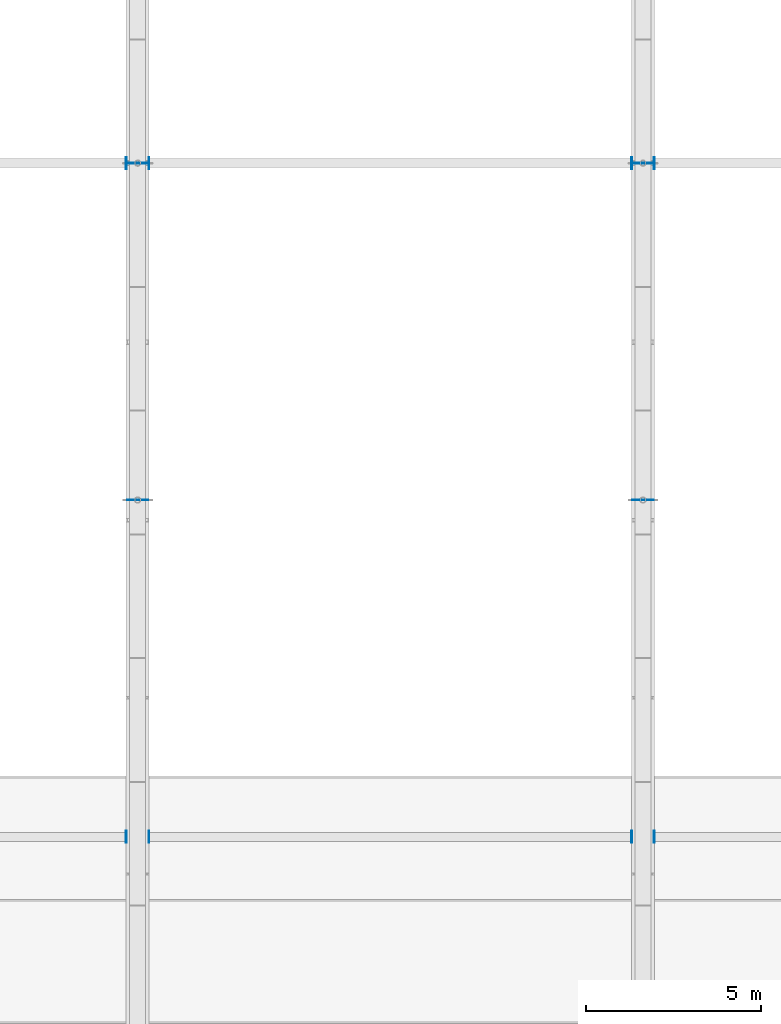
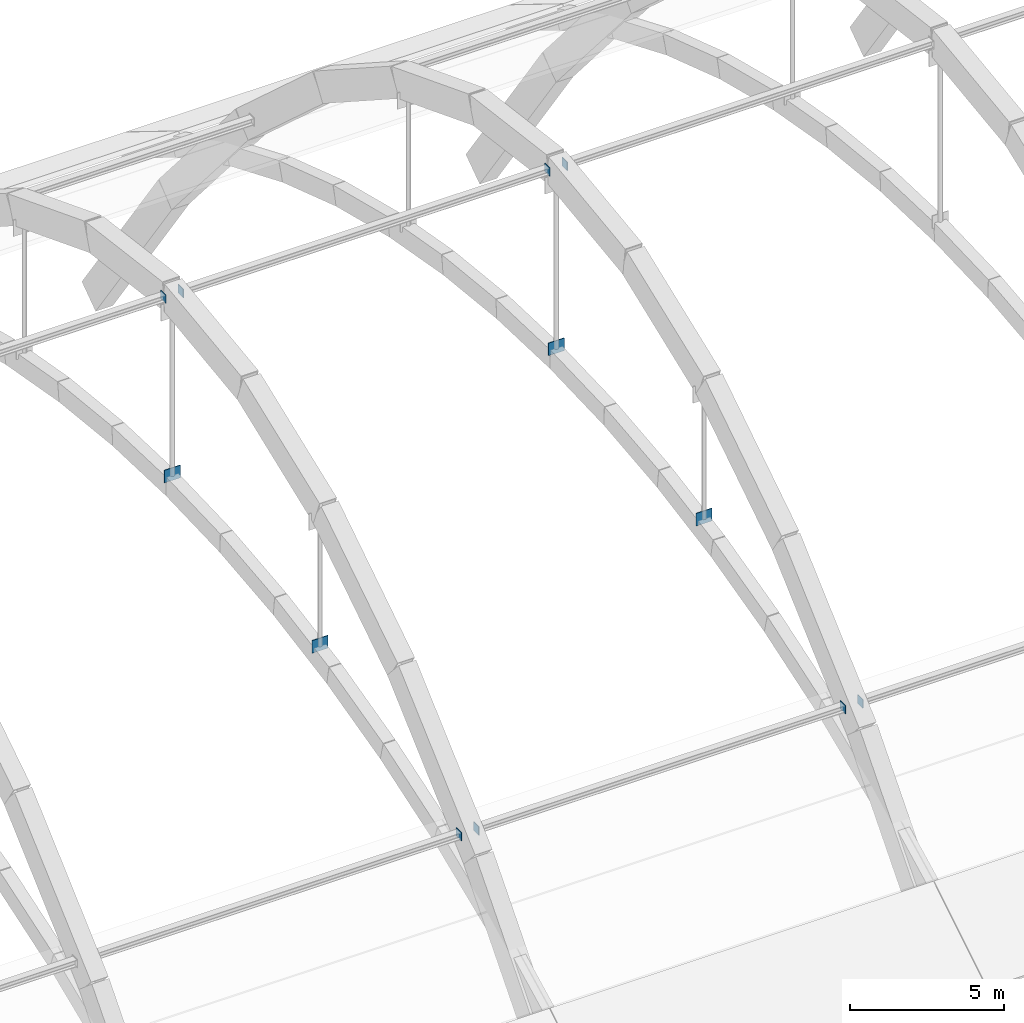
# One storey, part 48 of 64: 12 plates.
"""IFC4 building model written with IfcOpenShell, lengths in metres."""

from ifc_helpers import new_model, si_unit, direction, frame, origin, origin_2d, place, context, subcontext, project, spatial, rectangle, extrude, material, layer, layer_set, type_object, element, save


model = new_model("IFC4")

# Units and contexts
model_context = context("Model", 3, precision=1e-05, world=origin(), true_north=direction((0.0, 1.0)))
body_context = subcontext(model_context, "Body", "Model", "MODEL_VIEW")
ifc_project = project(units=[si_unit("LENGTHUNIT", "METRE"), si_unit("AREAUNIT", "SQUARE_METRE"), si_unit("VOLUMEUNIT", "CUBIC_METRE"), si_unit("PLANEANGLEUNIT", "RADIAN"), si_unit("MASSUNIT", "GRAM", prefix="KILO")], contexts=[model_context])

# Site, building, storey
site_placement = place(None, origin())
site = spatial("IfcSite", under=ifc_project, at=site_placement, CompositionType="ELEMENT")
building_placement = place(site_placement, origin())
building = spatial("IfcBuilding", under=site, at=building_placement, Name="Leyfeld Transit Interchange", CompositionType="ELEMENT")
storey_placement = place(building_placement, frame((0.0, 0.0, 9.60009765625)))
storey = spatial("IfcBuildingStorey", under=building, at=storey_placement, Name="L02", CompositionType="ELEMENT", Elevation=9.60009765625)

# Plates
ifc_material = material(Name="Steel S355J2", Category="steel")
ifc_layer_1 = layer(ifc_material, 0.02490234375, Name="Steel S355J2")
ifc_layer_set_1 = layer_set([ifc_layer_1], Name="Steel S355J2")
plate_type_1 = type_object("IfcPlateType", Name="PLT-CAP-25", PredefinedType="USERDEFINED", material=ifc_layer_set_1)
for number, where, z_axis, x_axis, name in (
    (1, (42.875, 13.199951171875, 5.166015625), (0.0, 0.0, 1.0), (0.0, 1.0, 0.0), "Arch Tie Chord East End Plate B3 T1"),
    (2, (42.875, 32.39990234375, 14.830078125), (0.0, 0.0, 1.0), (0.0, 1.0, 0.0), "Arch Tie Chord East End Plate B3 T2"),
    (3, (43.52490234375, 13.199951171875, 5.166015625), (0.0, 0.0, 1.0), (0.0, 1.0, 0.0), "Arch Tie Chord West End Plate B4 T1"),
    (4, (57.27490234375, 13.199951171875, 5.166015625), (0.0, 0.0, 1.0), (0.0, 1.0, 0.0), "Arch Tie Chord East End Plate B4 T1"),
    (5, (43.52490234375, 32.39990234375, 14.830078125), (0.0, 0.0, 1.0), (0.0, 1.0, 0.0), "Arch Tie Chord West End Plate B4 T2"),
    (6, (57.27490234375, 32.39990234375, 14.830078125), (0.0, 0.0, 1.0), (0.0, 1.0, 0.0), "Arch Tie Chord East End Plate B4 T2"),
    (7, (57.925048828125, 13.199951171875, 5.166015625), (0.0, 0.0, 1.0), (0.0, 1.0, 0.0), "Arch Tie Chord West End Plate B5 T1"),
    (8, (57.925048828125, 32.39990234375, 14.830078125), (0.0, 0.0, 1.0), (0.0, 1.0, 0.0), "Arch Tie Chord West End Plate B5 T2"),
):
    element("IfcPlate", number, at=place(storey_placement, frame(where, z_axis=z_axis, x_axis=x_axis)), inside=storey, type_object=plate_type_1, Name=name, ObjectType="FLANGE_PLATE", PredefinedType="USERDEFINED", context=body_context, shape_type="SweptSolid", body=[
        extrude(rectangle(XDim=0.340087890625, YDim=0.02490234375, at=origin_2d()), origin(), (0.0, 0.0, 1.0), 0.340087890625),
    ])
ifc_layer_2 = layer(ifc_material, 0.02490234375, Name="Steel S355J2")
ifc_layer_set_2 = layer_set([ifc_layer_2], Name="Steel S355J2")
plate_type_2 = type_object("IfcPlateType", Name="PLT-GUS-25", PredefinedType="SHEET", material=ifc_layer_set_2)
for number, where, z_axis, x_axis, name in (
    (9, (43.199951171875, 22.800048828125, 6.68505859375), (0.0, 0.0, 1.0), (1.0, 0.0, 0.0), "Hanger Lower Clevis Plate AR-03 H3"),
    (10, (43.199951171875, 32.39990234375, 7.615234375), (0.0, 0.0, 1.0), (1.0, 0.0, 0.0), "Hanger Lower Clevis Plate AR-03 H4"),
    (11, (57.60009765625, 22.800048828125, 6.68505859375), (0.0, 0.0, 1.0), (1.0, 0.0, 0.0), "Hanger Lower Clevis Plate AR-04 H3"),
    (12, (57.60009765625, 32.39990234375, 7.615234375), (0.0, 0.0, 1.0), (1.0, 0.0, 0.0), "Hanger Lower Clevis Plate AR-04 H4"),
):
    element("IfcPlate", number, at=place(storey_placement, frame(where, z_axis=z_axis, x_axis=x_axis)), inside=storey, type_object=plate_type_2, Name=name, PredefinedType="SHEET", context=body_context, shape_type="SweptSolid", body=[
        extrude(rectangle(XDim=0.60009765625, YDim=0.02490234375, at=origin_2d()), origin(), (0.0, 0.0, 1.0), 0.5),
    ])

save(model, "model.ifc")
